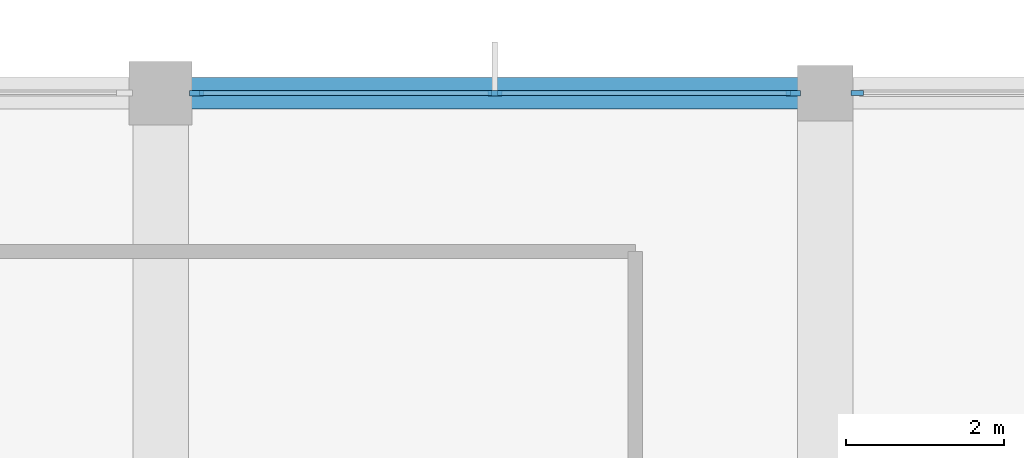
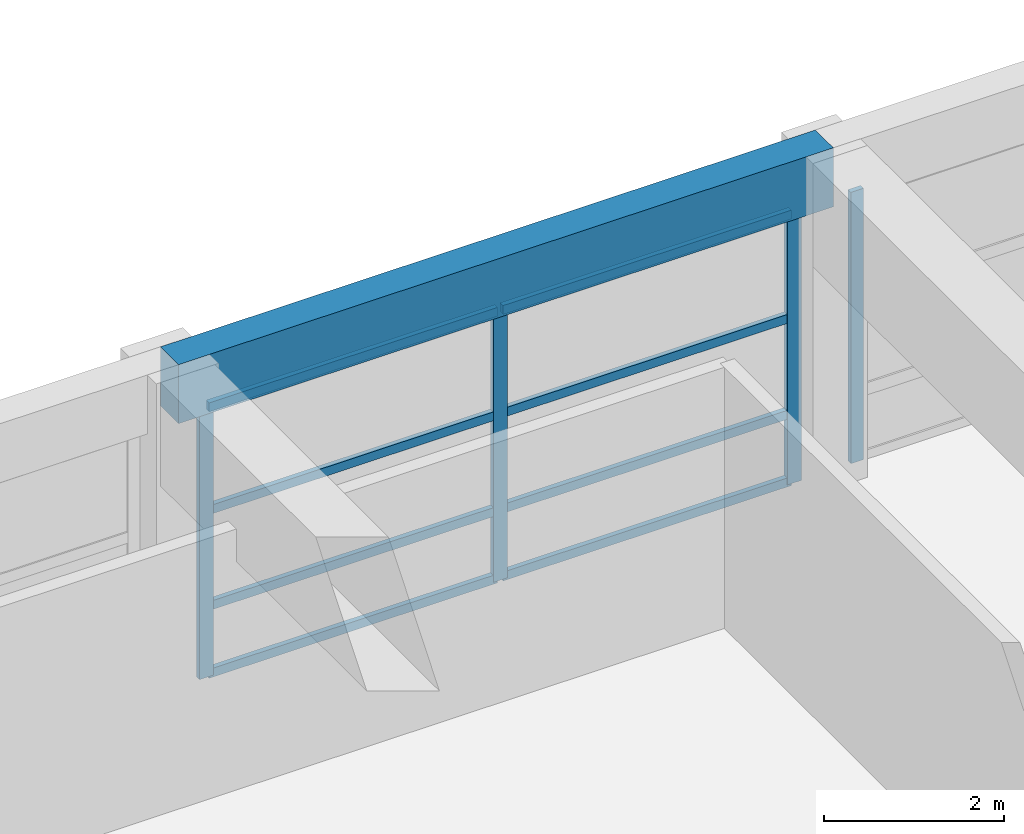
# One storey, part 32 of 65: 12 members, 1 beam, 2 elements without a shape of their own.
"""IFC4 building model written with IfcOpenShell, lengths in metres."""

from ifc_helpers import new_model, si_unit, direction, frame, origin, origin_2d, place, context, subcontext, project, spatial, rectangle, extrude, material, material_profile, profile_set, type_object, element, aggregate, save


model = new_model("IFC4")

# Units and contexts
model_context = context("Model", 3, precision=1e-05, world=origin(), true_north=direction((0.0, 1.0)))
body_context = subcontext(model_context, "Body", "Model", "MODEL_VIEW")
ifc_project = project(units=[si_unit("LENGTHUNIT", "METRE"), si_unit("AREAUNIT", "SQUARE_METRE"), si_unit("VOLUMEUNIT", "CUBIC_METRE"), si_unit("PLANEANGLEUNIT", "RADIAN"), si_unit("MASSUNIT", "GRAM", prefix="KILO")], contexts=[model_context])

# Site, building, storey
site_placement = place(None, origin())
site = spatial("IfcSite", under=ifc_project, at=site_placement, CompositionType="ELEMENT")
building_placement = place(site_placement, origin())
building = spatial("IfcBuilding", under=site, at=building_placement, Name="Xuanlan Plaza Opera House", CompositionType="ELEMENT")
storey_placement = place(building_placement, frame((0.0, 0.0, 5.39990234375)))
storey = spatial("IfcBuildingStorey", under=building, at=storey_placement, Name="L01", CompositionType="ELEMENT", Elevation=5.39990234375)

# Curtain wall, member
ifc_material_1 = material(Name="Anodised Aluminium 6063-T6 and Low-E Glass", Category="aluminium")
curtain_wall_type_1 = type_object("IfcCurtainWallType", Name="ENV-CW-CW-06", PredefinedType="USERDEFINED", material=ifc_material_1)
curtain_wall_1_placement = place(storey_placement, origin())
curtain_wall_1 = element("IfcCurtainWall", 1, at=curtain_wall_1_placement, inside=storey, type_object=curtain_wall_type_1, Name="Acoustic Glazed Wall L01-033", ObjectType="ACOUSTIC GLAZED WALL", PredefinedType="USERDEFINED")
ifc_material_2 = material(Name="Anodised Aluminium 6063-T6", Category="aluminium")
ifc_material_profile_1 = material_profile(ifc_material_2, rectangle(XDim=0.06494140625, YDim=0.159912109375, at=origin_2d()), Name="ALU-M 65x160")
ifc_profile_set_1 = profile_set([ifc_material_profile_1], Name="Anodised Aluminium 6063-T6")
member_type_1 = type_object("IfcMemberType", Name="ENV-CWM-01", PredefinedType="MULLION", material=ifc_profile_set_1)
member_1_placement = place(storey_placement, frame((126.402587890625, 117.60009765625, 0.0), z_axis=(0.0, 0.0, 1.0), x_axis=(0.0, -1.0, 0.0)))
member_1 = element("IfcMember", 2, at=member_1_placement, type_object=member_type_1, Name="CW-06 mullion 3", PredefinedType="MULLION", context=body_context, shape_type="SweptSolid", body=[
    extrude(rectangle(XDim=0.06494140625, YDim=0.159912109375, at=origin_2d()), origin(), (0.0, 0.0, 1.0), 3.68017578125),
])
aggregate(curtain_wall_1, [member_1])

# Curtain wall, members
curtain_wall_type_2 = type_object("IfcCurtainWallType", Name="ENV-CW-CW-05", PredefinedType="USERDEFINED", material=ifc_material_1)
curtain_wall_2_placement = place(storey_placement, origin())
curtain_wall_2 = element("IfcCurtainWall", 3, at=curtain_wall_2_placement, inside=storey, type_object=curtain_wall_type_2, Name="Acoustic Glazed Wall L01-034", ObjectType="ACOUSTIC GLAZED WALL", PredefinedType="USERDEFINED")
ifc_material_profile_2 = material_profile(ifc_material_2, rectangle(XDim=0.070068359375, YDim=0.179931640625, at=origin_2d()), Name="ALU-M 70x180")
ifc_profile_set_2 = profile_set([ifc_material_profile_2], Name="Anodised Aluminium 6063-T6")
member_type_2 = type_object("IfcMemberType", Name="ENV-CWM-02", PredefinedType="MULLION", material=ifc_profile_set_2)
member_2_placement = place(storey_placement, frame((125.594970703125, 117.60009765625, 0.0), z_axis=(0.0, 0.0, 1.0), x_axis=(0.0, -1.0, 0.0)))
member_2 = element("IfcMember", 4, at=member_2_placement, type_object=member_type_2, Name="CW-05 mullion 1", PredefinedType="MULLION", context=body_context, shape_type="SweptSolid", body=[
    extrude(rectangle(XDim=0.070068359375, YDim=0.179931640625, at=origin_2d()), origin(), (0.0, 0.0, 1.0), 3.68017578125),
])
member_3_placement = place(storey_placement, frame((121.824951171875, 117.60009765625, 0.0), z_axis=(0.0, 0.0, 1.0), x_axis=(0.0, -1.0, 0.0)))
member_3 = element("IfcMember", 5, at=member_3_placement, type_object=member_type_2, Name="CW-05 mullion 2", PredefinedType="MULLION", context=body_context, shape_type="SweptSolid", body=[
    extrude(rectangle(XDim=0.070068359375, YDim=0.179931640625, at=origin_2d()), origin(), (0.0, 0.0, 1.0), 3.68017578125),
])
member_4_placement = place(storey_placement, frame((118.054931640625, 117.60009765625, 0.0), z_axis=(0.0, 0.0, 1.0), x_axis=(0.0, -1.0, 0.0)))
member_4 = element("IfcMember", 6, at=member_4_placement, type_object=member_type_2, Name="CW-05 mullion 3", PredefinedType="MULLION", context=body_context, shape_type="SweptSolid", body=[
    extrude(rectangle(XDim=0.070068359375, YDim=0.179931640625, at=origin_2d()), origin(), (0.0, 0.0, 1.0), 3.68017578125),
])
ifc_material_profile_3 = material_profile(ifc_material_2, rectangle(XDim=0.06494140625, YDim=0.1201171875, at=origin_2d()), Name="ALU-T 65x120")
ifc_profile_set_3 = profile_set([ifc_material_profile_3], Name="Anodised Aluminium 6063-T6")
member_type_3 = type_object("IfcMemberType", Name="ENV-CWT-01", PredefinedType="USERDEFINED", material=ifc_profile_set_3)
member_5_placement = place(storey_placement, frame((125.56005859375, 117.60009765625, 0.03271484375), z_axis=(-1.0, 0.0, 0.0), x_axis=(0.0, -1.0, 0.0)))
member_5 = element("IfcMember", 7, at=member_5_placement, type_object=member_type_3, Name="CW-05 transom 1.1", ObjectType="TRANSOM", PredefinedType="USERDEFINED", context=body_context, shape_type="SweptSolid", body=[
    extrude(rectangle(XDim=0.06494140625, YDim=0.1201171875, at=origin_2d()), origin(), (0.0, 0.0, 1.0), 3.699951171875),
])
member_6_placement = place(storey_placement, frame((125.56005859375, 117.60009765625, 0.9501953125), z_axis=(-1.0, 0.0, 0.0), x_axis=(0.0, -1.0, 0.0)))
member_6 = element("IfcMember", 8, at=member_6_placement, type_object=member_type_3, Name="CW-05 transom 1.2", ObjectType="TRANSOM", PredefinedType="USERDEFINED", context=body_context, shape_type="SweptSolid", body=[
    extrude(rectangle(XDim=0.06494140625, YDim=0.1201171875, at=origin_2d()), origin(), (0.0, 0.0, 1.0), 3.699951171875),
])
member_7_placement = place(storey_placement, frame((125.56005859375, 117.60009765625, 2.25), z_axis=(-1.0, 0.0, 0.0), x_axis=(0.0, -1.0, 0.0)))
member_7 = element("IfcMember", 9, at=member_7_placement, type_object=member_type_3, Name="CW-05 transom 1.3", ObjectType="TRANSOM", PredefinedType="USERDEFINED", context=body_context, shape_type="SweptSolid", body=[
    extrude(rectangle(XDim=0.06494140625, YDim=0.1201171875, at=origin_2d()), origin(), (0.0, 0.0, 1.0), 3.699951171875),
])
member_8_placement = place(storey_placement, frame((125.56005859375, 117.60009765625, 3.647705078125), z_axis=(-1.0, 0.0, 0.0), x_axis=(0.0, -1.0, 0.0)))
member_8 = element("IfcMember", 10, at=member_8_placement, type_object=member_type_3, Name="CW-05 transom 1.4", ObjectType="TRANSOM", PredefinedType="USERDEFINED", context=body_context, shape_type="SweptSolid", body=[
    extrude(rectangle(XDim=0.06494140625, YDim=0.1201171875, at=origin_2d()), origin(), (0.0, 0.0, 1.0), 3.699951171875),
])
member_9_placement = place(storey_placement, frame((121.7900390625, 117.60009765625, 0.03271484375), z_axis=(-1.0, 0.0, 0.0), x_axis=(0.0, -1.0, 0.0)))
member_9 = element("IfcMember", 11, at=member_9_placement, type_object=member_type_3, Name="CW-05 transom 2.1", ObjectType="TRANSOM", PredefinedType="USERDEFINED", context=body_context, shape_type="SweptSolid", body=[
    extrude(rectangle(XDim=0.06494140625, YDim=0.1201171875, at=origin_2d()), origin(), (0.0, 0.0, 1.0), 3.699951171875),
])
member_10_placement = place(storey_placement, frame((121.7900390625, 117.60009765625, 0.9501953125), z_axis=(-1.0, 0.0, 0.0), x_axis=(0.0, -1.0, 0.0)))
member_10 = element("IfcMember", 12, at=member_10_placement, type_object=member_type_3, Name="CW-05 transom 2.2", ObjectType="TRANSOM", PredefinedType="USERDEFINED", context=body_context, shape_type="SweptSolid", body=[
    extrude(rectangle(XDim=0.06494140625, YDim=0.1201171875, at=origin_2d()), origin(), (0.0, 0.0, 1.0), 3.699951171875),
])
member_11_placement = place(storey_placement, frame((121.7900390625, 117.60009765625, 2.25), z_axis=(-1.0, 0.0, 0.0), x_axis=(0.0, -1.0, 0.0)))
member_11 = element("IfcMember", 13, at=member_11_placement, type_object=member_type_3, Name="CW-05 transom 2.3", ObjectType="TRANSOM", PredefinedType="USERDEFINED", context=body_context, shape_type="SweptSolid", body=[
    extrude(rectangle(XDim=0.06494140625, YDim=0.1201171875, at=origin_2d()), origin(), (0.0, 0.0, 1.0), 3.699951171875),
])
member_12_placement = place(storey_placement, frame((121.7900390625, 117.60009765625, 3.647705078125), z_axis=(-1.0, 0.0, 0.0), x_axis=(0.0, -1.0, 0.0)))
member_12 = element("IfcMember", 14, at=member_12_placement, type_object=member_type_3, Name="CW-05 transom 2.4", ObjectType="TRANSOM", PredefinedType="USERDEFINED", context=body_context, shape_type="SweptSolid", body=[
    extrude(rectangle(XDim=0.06494140625, YDim=0.1201171875, at=origin_2d()), origin(), (0.0, 0.0, 1.0), 3.699951171875),
])
aggregate(curtain_wall_2, [member_2, member_3, member_4, member_5, member_6, member_7, member_8, member_9, member_10, member_11, member_12])

# Beam
ifc_material_3 = material(Name="Concrete C40", Category="concrete")
ifc_material_profile_4 = material_profile(ifc_material_3, rectangle(XDim=0.39990234375, YDim=0.800048828125, at=origin_2d()), Name="RC-SPD 400x800")
ifc_profile_set_4 = profile_set([ifc_material_profile_4], Name="Concrete C40")
beam_type = type_object("IfcBeamType", Name="STR-BM-SP-01", PredefinedType="SPANDREL", material=ifc_profile_set_4)
beam_placement = place(storey_placement, frame((117.60009765625, 117.60009765625, 4.10009765625), z_axis=(1.0, 0.0, 0.0), x_axis=(0.0, 1.0, 0.0)))
element("IfcBeam", 15, at=beam_placement, inside=storey, type_object=beam_type, Name="Grid Beam X L01 15-16/O", PredefinedType="SPANDREL", context=body_context, shape_type="SweptSolid", body=[
    extrude(rectangle(XDim=0.39990234375, YDim=0.800048828125, at=origin_2d()), origin(), (0.0, 0.0, 1.0), 8.39990234375),
])

save(model, "model.ifc")
